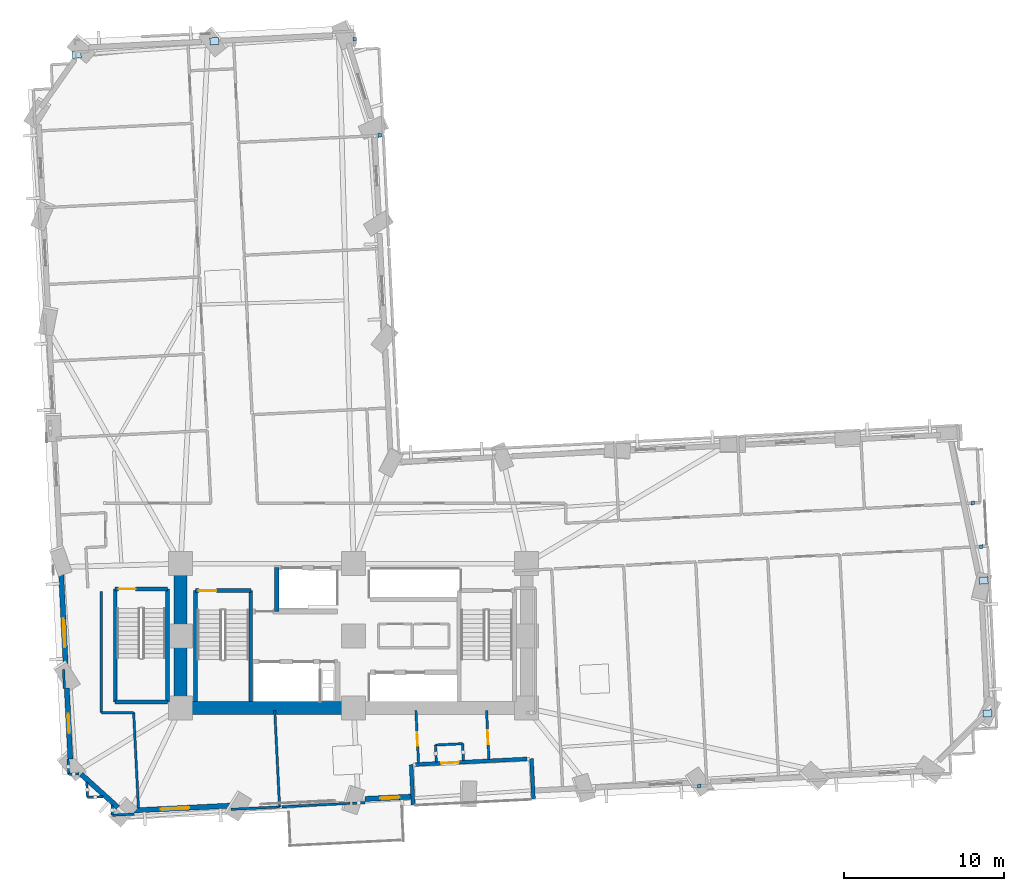
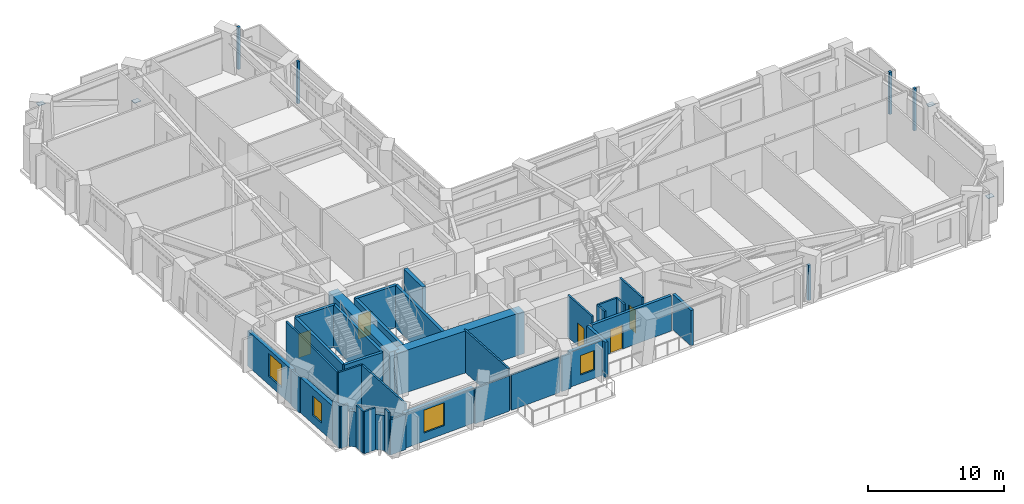
# One storey, part 6 of 15: 37 walls, 9 plates, 5 doors, 4 windows, 9 openings.
"""IFC4 building model written with IfcOpenShell, lengths in metres."""

from ifc_helpers import new_model, si_unit, direction, frame, frame_2d, origin, origin_2d, place, context, subcontext, project, spatial, rectangle, extrude, material, layer, layer_set, type_object, element, fill, save


model = new_model("IFC4")

# Units and contexts
model_context = context("Model", 3, precision=1e-05, world=origin(), true_north=direction((0.0, 1.0)))
body_context = subcontext(model_context, "Body", "Model", "MODEL_VIEW")
ifc_project = project(units=[si_unit("LENGTHUNIT", "METRE"), si_unit("AREAUNIT", "SQUARE_METRE"), si_unit("VOLUMEUNIT", "CUBIC_METRE"), si_unit("PLANEANGLEUNIT", "RADIAN"), si_unit("MASSUNIT", "GRAM", prefix="KILO")], contexts=[model_context])

# Site, building, storey
site_placement = place(None, origin())
site = spatial("IfcSite", under=ifc_project, at=site_placement, CompositionType="ELEMENT")
building_placement = place(site_placement, origin())
building = spatial("IfcBuilding", under=site, at=building_placement, Name="Gaonmaruhae Medical Tower", CompositionType="ELEMENT")
storey_placement = place(building_placement, frame((0.0, 0.0, 35.0)))
storey = spatial("IfcBuildingStorey", under=building, at=storey_placement, Name="L07", CompositionType="ELEMENT", Elevation=35.0)

# Plates
ifc_material_1 = material(Name="Steel HSA650 (650 MPa)", Category="steel")
ifc_layer_1 = layer(ifc_material_1, 0.028076171875)
ifc_layer_set_1 = layer_set([ifc_layer_1], Name="Steel HSA650 (650 MPa)")
plate_type_1 = type_object("IfcPlateType", Name="GP-02 Tube Brace End Cap Gusset Plate", PredefinedType="USERDEFINED", material=ifc_layer_set_1)
for number, where, z_axis, x_axis, name in (
    (1, (64.350341796875, 7.45751953125, 0.23583984375), (0.0, 0.0, 1.0), (0.998763127564, 0.049721373869, 0.0), "L07 Gusset Cap Plate PLT-L07-PBR-E01A"),
    (2, (64.11669921875, 15.752685546875, 3.51611328125), (0.0, 0.0, 1.0), (0.997801468292, 0.0662739004, 0.0), "L07 Gusset Cap Plate PLT-L07-PBR-E01B"),
    (3, (16.104736328125, 49.41064453125, 0.23583984375), (0.0, 0.0, 1.0), (0.998763127564, 0.049721373869, 0.0), "L07 Gusset Cap Plate PLT-L07-PBR-N02A"),
    (4, (7.51708984375, 48.57373046875, 3.51611328125), (0.0, 0.0, 1.0), (0.997801468292, 0.0662739004, 0.0), "L07 Gusset Cap Plate PLT-L07-PBR-N02B"),
):
    element("IfcPlate", number, at=place(storey_placement, frame(where, z_axis=z_axis, x_axis=x_axis)), inside=storey, type_object=plate_type_1, Name=name, ObjectType="GUSSET_PLATE", PredefinedType="USERDEFINED", context=body_context, shape_type="SweptSolid", body=[
        extrude(rectangle(XDim=0.56005859375, YDim=0.43994140625, at=origin_2d()), origin(), (0.0, 0.0, 1.0), 0.028076171875),
    ])
ifc_material_2 = material(Name="Anodised aluminium 6063-T6", Category="aluminium")
ifc_layer_2 = layer(ifc_material_2, 0.011962890625)
ifc_layer_set_2 = layer_set([ifc_layer_2], Name="Anodised aluminium 6063-T6")
plate_type_2 = type_object("IfcPlateType", Name="PP-01 Interior Partition Corner Stiffener Plate", PredefinedType="SHEET", material=ifc_layer_set_2)
plate_placement = place(storey_placement, frame((46.365478515625, 2.927490234375, 0.0), z_axis=(0.0, 0.0, 1.0), x_axis=(-0.998790741445, -0.049163551582, 0.0)))
element("IfcPlate", 5, at=plate_placement, inside=storey, type_object=plate_type_2, Name="L07 Partition Corner Stiffener Plate PLT-L07-JGP-PW040", PredefinedType="SHEET", context=body_context, shape_type="SweptSolid", body=[
    extrude(rectangle(XDim=0.219970703125, YDim=0.219970703125, at=origin_2d()), origin(), (0.0, 0.0, 1.0), 3.1650390625),
])
for number, where, z_axis, x_axis, name in (
    (6, (63.445556640625, 20.589111328125, 0.0), (0.0, 0.0, 1.0), (-0.998755305027, -0.0498782586, 0.0), "L07 Partition Corner Stiffener Plate PLT-L07-JGP-PW098"),
    (7, (26.429443359375, 43.526611328125, 0.0), (0.0, 0.0, 1.0), (0.998757915277, 0.049825963826, 0.0), "L07 Partition Corner Stiffener Plate PLT-L07-JGP-PW107"),
    (8, (24.859619140625, 49.528076171875, 0.0), (0.0, 0.0, 1.0), (0.049180983762, -0.998789883227, 0.0), "L07 Partition Corner Stiffener Plate PLT-L07-JGP-PW112"),
    (9, (63.972900390625, 17.87158203125, 0.0), (0.0, 0.0, 1.0), (0.998746584416, 0.050052573524, 0.0), "L07 Partition Corner Stiffener Plate PLT-L07-JGP-PW117"),
):
    element("IfcPlate", number, at=place(storey_placement, frame(where, z_axis=z_axis, x_axis=x_axis)), inside=storey, type_object=plate_type_2, Name=name, PredefinedType="SHEET", context=body_context, shape_type="SweptSolid", body=[
        extrude(rectangle(XDim=0.219970703125, YDim=0.219970703125, at=origin_2d()), origin(), (0.0, 0.0, 1.0), 3.780029296875),
    ])

# Walls
ifc_material_3 = material(Name="Concrete C60/75", Category="concrete")
ifc_layer_3 = layer(ifc_material_3, 0.800048828125)
ifc_layer_set_3 = layer_set([ifc_layer_3], Name="Concrete C60/75")
wall_type_1 = type_object("IfcWallType", Name="CW-800 Lower Core Shear Wall", PredefinedType="SHEAR", material=ifc_layer_set_3)
wall_1_placement = place(storey_placement, frame((14.0, 7.800048828125, 0.0), z_axis=(0.0, 0.0, 1.0), x_axis=(1.0, 0.0, 0.0)))
element("IfcWall", 10, at=wall_1_placement, inside=storey, type_object=wall_type_1, Name="L07 Core Shear Wall CSW-S1", PredefinedType="SHEAR", context=body_context, shape_type="SweptSolid", body=[
    extrude(rectangle(XDim=10.800048828125, YDim=0.800048828125, at=frame_2d((5.39990234375, 0.0))), origin(), (0.0, 0.0, 1.0), 3.780029296875),
])
wall_2_placement = place(storey_placement, frame((14.0, 16.800048828125, 0.0), z_axis=(0.0, 0.0, 1.0), x_axis=(0.0, -1.0, 0.0)))
element("IfcWall", 11, at=wall_2_placement, inside=storey, type_object=wall_type_1, Name="L07 Core Shear Wall CSW-W1", PredefinedType="SHEAR", context=body_context, shape_type="SweptSolid", body=[
    extrude(rectangle(XDim=9.0, YDim=0.800048828125, at=frame_2d((4.5, 0.0))), origin(), (0.0, 0.0, 1.0), 3.780029296875),
])

# Wall, opening, door
ifc_material_4 = material(Name="Precast concrete C45/55", Category="concrete")
ifc_layer_4 = layer(ifc_material_4, 0.239990234375)
ifc_layer_set_4 = layer_set([ifc_layer_4], Name="Precast concrete C45/55")
wall_type_2 = type_object("IfcWallType", Name="EW-240 Ribbon & Shelter Insulated Precast Wall", PredefinedType="SOLIDWALL", material=ifc_layer_set_4)
wall_3_placement = place(storey_placement, frame((35.6171875, 4.615234375, 0.0), z_axis=(0.0, 0.0, 1.0), x_axis=(-0.998763945983, -0.04970493139, 0.0)))
wall_3 = element("IfcWall", 12, at=wall_3_placement, inside=storey, type_object=wall_type_2, Name="L07 Recessed Terrace Enclosure Wall TERB", PredefinedType="SOLIDWALL", context=body_context, shape_type="SweptSolid", body=[
    extrude(rectangle(XDim=6.9599609375, YDim=0.239990234375, at=frame_2d((3.47998046875, 0.0))), origin(), (0.0, 0.0, 1.0), 3.1650390625),
])
opening_1_placement = place(wall_3_placement, frame((4.264404296875, 0.0, 0.0)))
opening_1 = element("IfcOpeningElement", 13, at=opening_1_placement, cuts=wall_3, Name="Opening TD-01", PredefinedType="OPENING", context=body_context, shape_type="SweptSolid", body=[
    extrude(rectangle(XDim=1.10009765625, YDim=2.14990234375, at=frame_2d((0.550048828125, 1.074951171875))), frame((0.0, 0.1298828125, 0.0), z_axis=(0.0, -1.0, 0.0), x_axis=(1.0, 0.0, 0.0)), (0.0, 0.0, 1.0), 0.260009765625),
])
ifc_material_5 = material(Name="Anodised aluminium and toughened safety glass", Category="aluminium")
door_type_1 = type_object("IfcDoorType", Name="TD-01 Terrace & Sky Garden Glazed Door 1100x2150", OperationType="NOTDEFINED", PredefinedType="DOOR", material=ifc_material_5)
door_1_placement = place(opening_1_placement, origin())
door_1 = element("IfcDoor", 14, at=door_1_placement, inside=storey, type_object=door_type_1, Name="L07 Outdoor Terrace Access Door SLB-L07-TER", OperationType="SINGLE_SWING_LEFT", OverallHeight=2.14990234375, OverallWidth=1.10009765625, PredefinedType="DOOR", context=body_context, shape_type="SweptSolid", body=[
    extrude(rectangle(XDim=1.10009765625, YDim=2.14990234375, at=frame_2d((0.550048828125, 1.074951171875))), frame((0.0, 0.02490234375, 0.0), z_axis=(0.0, -1.0, 0.0), x_axis=(1.0, 0.0, 0.0)), (0.0, 0.0, 1.0), 0.050048828125),
])
fill(opening_1, door_1)

# Walls
wall_4_placement = place(storey_placement, frame((28.385986328125, 4.25537109375, 0.0), z_axis=(0.0, 0.0, 1.0), x_axis=(0.049801248091, -0.998759147987, 0.0)))
element("IfcWall", 15, at=wall_4_placement, inside=storey, type_object=wall_type_2, Name="L07 Recessed Terrace Enclosure Wall TERL", PredefinedType="SOLIDWALL", context=body_context, shape_type="SweptSolid", body=[
    extrude(rectangle(XDim=2.500244140625, YDim=0.239990234375, at=frame_2d((1.25, 0.0))), origin(), (0.0, 0.0, 1.0), 3.1650390625),
])
wall_5_placement = place(storey_placement, frame((36.02099609375, 2.13232421875, 0.0), z_axis=(0.0, 0.0, 1.0), x_axis=(-0.049708688114, 0.998763759017, 0.0)))
element("IfcWall", 16, at=wall_5_placement, inside=storey, type_object=wall_type_2, Name="L07 Recessed Terrace Enclosure Wall TERR", PredefinedType="SOLIDWALL", context=body_context, shape_type="SweptSolid", body=[
    extrude(rectangle(XDim=2.5, YDim=0.239990234375, at=frame_2d((1.25, 0.0))), origin(), (0.0, 0.0, 1.0), 3.1650390625),
])

# Wall, opening, window
ifc_layer_5 = layer(ifc_material_4, 0.320068359375)
ifc_layer_set_5 = layer_set([ifc_layer_5], Name="Precast concrete C45/55")
wall_type_3 = type_object("IfcWallType", Name="EW-320 Lower Precast Masonry-Frame Facade Wall", PredefinedType="SOLIDWALL", material=ifc_layer_set_5)
wall_6_placement = place(storey_placement, frame((17.122314453125, 1.7021484375, 0.0), z_axis=(0.0, 0.0, 1.0), x_axis=(-0.998763010787, -0.049723719528, 0.0)))
wall_6 = element("IfcWall", 17, at=wall_6_placement, inside=storey, type_object=wall_type_3, Name="L07 Precast Masonry-Frame Wall S01-S02", PredefinedType="SOLIDWALL", context=body_context, shape_type="SweptSolid", body=[
    extrude(rectangle(XDim=6.034423828125, YDim=0.320068359375, at=frame_2d((3.01708984375, 0.0))), origin(), (0.0, 0.0, 1.0), 3.1650390625),
])
opening_2_placement = place(wall_6_placement, frame((2.57421875, 0.0, 0.75)))
opening_2 = element("IfcOpeningElement", 18, at=opening_2_placement, cuts=wall_6, Name="Opening WN-04", PredefinedType="OPENING", context=body_context, shape_type="SweptSolid", body=[
    extrude(rectangle(XDim=1.800048828125, YDim=2.050048828125, at=frame_2d((0.89990234375, 1.02490234375))), frame((0.0, 0.169921875, 0.0), z_axis=(0.0, -1.0, 0.0), x_axis=(1.0, 0.0, 0.0)), (0.0, 0.0, 1.0), 0.340087890625),
])
ifc_material_6 = material(Name="Anodised aluminium and Low-E double glazing", Category="aluminium")
window_type_1 = type_object("IfcWindowType", Name="WN-04 Clinic & Consult Punched Window 1800x2050", PartitioningType="SINGLE_PANEL", PredefinedType="WINDOW", material=ifc_material_6)
window_1_placement = place(opening_2_placement, origin())
window_1 = element("IfcWindow", 19, at=window_1_placement, inside=storey, type_object=window_type_1, Name="L07 Modular Facade Window S01", OverallHeight=2.050048828125, OverallWidth=1.800048828125, PartitioningType="SINGLE_PANEL", PredefinedType="WINDOW", context=body_context, shape_type="SweptSolid", body=[
    extrude(rectangle(XDim=1.800048828125, YDim=2.050048828125, at=frame_2d((0.89990234375, 1.02490234375))), frame((0.0, 0.030029296875, 0.0), z_axis=(0.0, -1.0, 0.0), x_axis=(1.0, 0.0, 0.0)), (0.0, 0.0, 1.0), 0.06005859375),
])
fill(opening_2, window_1)

wall_7_placement = place(storey_placement, frame((28.465087890625, 2.266845703125, 0.0), z_axis=(0.0, 0.0, 1.0), x_axis=(-0.998761361594, -0.049756834576, 0.0)))
wall_7 = element("IfcWall", 20, at=wall_7_placement, inside=storey, type_object=wall_type_3, Name="L07 Precast Masonry-Frame Wall S03-S04", PredefinedType="SOLIDWALL", context=body_context, shape_type="SweptSolid", body=[
    extrude(rectangle(XDim=2.963623046875, YDim=0.320068359375, at=frame_2d((1.48193359375, 0.0))), origin(), (0.0, 0.0, 1.0), 3.14501953125),
])
opening_3_placement = place(wall_7_placement, frame((0.805419921875, 0.0, 0.75)))
opening_3 = element("IfcOpeningElement", 21, at=opening_3_placement, cuts=wall_7, Name="Opening WN-05", PredefinedType="OPENING", context=body_context, shape_type="SweptSolid", body=[
    extrude(rectangle(XDim=1.199951171875, YDim=1.75, at=frame_2d((0.60009765625, 0.875))), frame((0.0, 0.169921875, 0.0), z_axis=(0.0, -1.0, 0.0), x_axis=(1.0, 0.0, 0.0)), (0.0, 0.0, 1.0), 0.340087890625),
])
window_type_2 = type_object("IfcWindowType", Name="WN-05 Support & Staff Punched Window 1200x1750", PartitioningType="SINGLE_PANEL", PredefinedType="WINDOW", material=ifc_material_6)
window_2_placement = place(opening_3_placement, origin())
window_2 = element("IfcWindow", 22, at=window_2_placement, inside=storey, type_object=window_type_2, Name="L07 Modular Facade Window S03", OverallHeight=1.75, OverallWidth=1.199951171875, PartitioningType="SINGLE_PANEL", PredefinedType="WINDOW", context=body_context, shape_type="SweptSolid", body=[
    extrude(rectangle(XDim=1.199951171875, YDim=1.75, at=frame_2d((0.60009765625, 0.875))), frame((0.0, 0.030029296875, 0.0), z_axis=(0.0, -1.0, 0.0), x_axis=(1.0, 0.0, 0.0)), (0.0, 0.0, 1.0), 0.06005859375),
])
fill(opening_3, window_2)

wall_8_placement = place(storey_placement, frame((6.841796875, 10.221923828125, 0.0), z_axis=(0.0, 0.0, 1.0), x_axis=(-0.049706150809, 0.998763885296, 0.0)))
wall_8 = element("IfcWall", 23, at=wall_8_placement, inside=storey, type_object=wall_type_3, Name="L07 Precast Masonry-Frame Wall W05-W06", PredefinedType="SOLIDWALL", context=body_context, shape_type="SweptSolid", body=[
    extrude(rectangle(XDim=5.9970703125, YDim=0.320068359375, at=frame_2d((2.99853515625, 0.0))), origin(), (0.0, 0.0, 1.0), 3.1650390625),
])
opening_4_placement = place(wall_8_placement, frame((1.3623046875, 0.0, 0.75)))
opening_4 = element("IfcOpeningElement", 24, at=opening_4_placement, cuts=wall_8, Name="Opening WN-04", PredefinedType="OPENING", context=body_context, shape_type="SweptSolid", body=[
    extrude(rectangle(XDim=1.800048828125, YDim=2.050048828125, at=frame_2d((0.89990234375, 1.02490234375))), frame((0.0, 0.169921875, 0.0), z_axis=(0.0, -1.0, 0.0), x_axis=(1.0, 0.0, 0.0)), (0.0, 0.0, 1.0), 0.340087890625),
])
window_3_placement = place(opening_4_placement, origin())
window_3 = element("IfcWindow", 25, at=window_3_placement, inside=storey, type_object=window_type_1, Name="L07 Modular Facade Window W05", OverallHeight=2.050048828125, OverallWidth=1.800048828125, PartitioningType="SINGLE_PANEL", PredefinedType="WINDOW", context=body_context, shape_type="SweptSolid", body=[
    extrude(rectangle(XDim=1.800048828125, YDim=2.050048828125, at=frame_2d((0.89990234375, 1.02490234375))), frame((0.0, 0.030029296875, 0.0), z_axis=(0.0, -1.0, 0.0), x_axis=(1.0, 0.0, 0.0)), (0.0, 0.0, 1.0), 0.06005859375),
])
fill(opening_4, window_3)

wall_9_placement = place(storey_placement, frame((7.12060546875, 4.618408203125, 0.0), z_axis=(0.0, 0.0, 1.0), x_axis=(-0.04969774224, 0.998764303735, 0.0)))
wall_9 = element("IfcWall", 26, at=wall_9_placement, inside=storey, type_object=wall_type_3, Name="L07 Precast Masonry-Frame Wall W06-W07", PredefinedType="SOLIDWALL", context=body_context, shape_type="SweptSolid", body=[
    extrude(rectangle(XDim=4.416259765625, YDim=0.320068359375, at=frame_2d((2.2080078125, 0.0))), origin(), (0.0, 0.0, 1.0), 3.1650390625),
])
opening_5_placement = place(wall_9_placement, frame((1.610595703125, 0.0, 0.75)))
opening_5 = element("IfcOpeningElement", 27, at=opening_5_placement, cuts=wall_9, Name="Opening WN-05", PredefinedType="OPENING", context=body_context, shape_type="SweptSolid", body=[
    extrude(rectangle(XDim=1.199951171875, YDim=1.75, at=frame_2d((0.60009765625, 0.875))), frame((0.0, 0.169921875, 0.0), z_axis=(0.0, -1.0, 0.0), x_axis=(1.0, 0.0, 0.0)), (0.0, 0.0, 1.0), 0.340087890625),
])
window_4_placement = place(opening_5_placement, origin())
window_4 = element("IfcWindow", 28, at=window_4_placement, inside=storey, type_object=window_type_2, Name="L07 Modular Facade Window W06", OverallHeight=1.75, OverallWidth=1.199951171875, PartitioningType="SINGLE_PANEL", PredefinedType="WINDOW", context=body_context, shape_type="SweptSolid", body=[
    extrude(rectangle(XDim=1.199951171875, YDim=1.75, at=frame_2d((0.60009765625, 0.875))), frame((0.0, 0.030029296875, 0.0), z_axis=(0.0, -1.0, 0.0), x_axis=(1.0, 0.0, 0.0)), (0.0, 0.0, 1.0), 0.06005859375),
])
fill(opening_5, window_4)

# Walls
wall_10_placement = place(storey_placement, frame((10.088623046875, 1.588623046875, 0.0), z_axis=(0.0, 0.0, 1.0), x_axis=(-0.741367790542, 0.67109894885, 0.0)))
element("IfcWall", 29, at=wall_10_placement, inside=storey, type_object=wall_type_3, Name="L07 Precast Masonry-Frame Wall W07-S01", PredefinedType="SOLIDWALL", context=body_context, shape_type="SweptSolid", body=[
    extrude(rectangle(XDim=3.09912109375, YDim=0.320068359375, at=frame_2d((1.549560546875, 0.0))), origin(), (0.0, 0.0, 1.0), 3.1650390625),
])
ifc_material_7 = material(Name="Gypsum board partition", Category="gypsum")
ifc_layer_6 = layer(ifc_material_7, 0.14990234375)
ifc_layer_set_6 = layer_set([ifc_layer_6], Name="Gypsum board partition")
wall_type_4 = type_object("IfcWallType", Name="PW-150 Rated Clinical Corridor Partition", PredefinedType="PARTITIONING", material=ifc_layer_set_6)
wall_11_placement = place(storey_placement, frame((9.050048828125, 15.06689453125, 0.0), z_axis=(0.0, 0.0, 1.0), x_axis=(0.0, -1.0, 0.0)))
element("IfcWall", 30, at=wall_11_placement, inside=storey, type_object=wall_type_4, Name="L07 Interior Partition L07-SUP01-9", PredefinedType="PARTITIONING", context=body_context, shape_type="SweptSolid", body=[
    extrude(rectangle(XDim=7.56689453125, YDim=0.14990234375, at=frame_2d((3.783447265625, 0.0))), origin(), (0.0, 0.0, 1.0), 3.780029296875),
])
wall_12_placement = place(storey_placement, frame((9.050048828125, 7.5, 0.0), z_axis=(0.0, 0.0, 1.0), x_axis=(1.0, 0.0, 0.0)))
element("IfcWall", 31, at=wall_12_placement, inside=storey, type_object=wall_type_4, Name="L07 Interior Partition L07-SUP01-10", PredefinedType="PARTITIONING", context=body_context, shape_type="SweptSolid", body=[
    extrude(rectangle(XDim=2.02197265625, YDim=0.14990234375, at=frame_2d((1.010986328125, 0.0))), origin(), (0.0, 0.0, 1.0), 3.780029296875),
])
wall_13_placement = place(storey_placement, frame((11.072021484375, 7.5, 0.0), z_axis=(0.0, 0.0, 1.0), x_axis=(0.049841534872, -0.998757138348, 0.0)))
element("IfcWall", 32, at=wall_13_placement, inside=storey, type_object=wall_type_4, Name="L07 Interior Partition L07-SUP01-11", PredefinedType="PARTITIONING", context=body_context, shape_type="SweptSolid", body=[
    extrude(rectangle(XDim=5.956298828125, YDim=0.14990234375, at=frame_2d((2.97802734375, 0.0))), origin(), (0.0, 0.0, 1.0), 3.780029296875),
])
wall_14_placement = place(storey_placement, frame((11.10693359375, 1.172119140625, 0.0), z_axis=(0.0, 0.0, 1.0), x_axis=(-0.998779948777, -0.049382323969, 0.0)))
element("IfcWall", 33, at=wall_14_placement, inside=storey, type_object=wall_type_4, Name="L07 Interior Partition L07-SUP01-12", PredefinedType="PARTITIONING", context=body_context, shape_type="SweptSolid", body=[
    extrude(rectangle(XDim=1.359619140625, YDim=0.14990234375, at=frame_2d((0.6796875, 0.0))), origin(), (0.0, 0.0, 1.0), 3.1650390625),
])
wall_15_placement = place(storey_placement, frame((9.7490234375, 1.10498046875, 0.0), z_axis=(0.0, 0.0, 1.0), x_axis=(-0.050071060531, 0.998745657761, 0.0)))
element("IfcWall", 34, at=wall_15_placement, inside=storey, type_object=wall_type_4, Name="L07 Interior Partition L07-SUP01-13", PredefinedType="PARTITIONING", context=body_context, shape_type="SweptSolid", body=[
    extrude(rectangle(XDim=0.638671875, YDim=0.14990234375, at=frame_2d((0.3193359375, 0.0))), origin(), (0.0, 0.0, 1.0), 3.780029296875),
])
for number, where, z_axis, x_axis, name in (
    (35, (9.14990234375, 2.256103515625, 0.0), (0.0, 0.0, 1.0), (-0.998792632335, -0.049125121825, 0.0), "L07 Interior Partition L07-SUP01-14"),
    (36, (8.19189453125, 2.208984375, 0.0), (0.0, 0.0, 1.0), (-0.049886838887, 0.998754876487, 0.0), "L07 Interior Partition L07-SUP01-15"),
):
    element("IfcWall", number, at=place(storey_placement, frame(where, z_axis=z_axis, x_axis=x_axis)), inside=storey, type_object=wall_type_4, Name=name, PredefinedType="PARTITIONING", context=body_context, shape_type="SweptSolid", body=[
        extrude(rectangle(XDim=0.959228515625, YDim=0.14990234375, at=frame_2d((0.4794921875, 0.0))), origin(), (0.0, 0.0, 1.0), 3.780029296875),
    ])
wall_16_placement = place(storey_placement, frame((7.656982421875, 3.68408203125, 0.0), z_axis=(0.0, 0.0, 1.0), x_axis=(-0.998745657761, -0.050071060531, 0.0)))
element("IfcWall", 37, at=wall_16_placement, inside=storey, type_object=wall_type_4, Name="L07 Interior Partition L07-SUP01-16", PredefinedType="PARTITIONING", context=body_context, shape_type="SweptSolid", body=[
    extrude(rectangle(XDim=0.638671875, YDim=0.14990234375, at=frame_2d((0.3193359375, 0.0))), origin(), (0.0, 0.0, 1.0), 3.780029296875),
])
wall_17_placement = place(storey_placement, frame((7.01904296875, 3.652099609375, 0.0), z_axis=(0.0, 0.0, 1.0), x_axis=(-0.050089793668, 0.998744718419, 0.0)))
element("IfcWall", 38, at=wall_17_placement, inside=storey, type_object=wall_type_4, Name="L07 Interior Partition L07-SUP01-17", PredefinedType="PARTITIONING", context=body_context, shape_type="SweptSolid", body=[
    extrude(rectangle(XDim=0.960205078125, YDim=0.14990234375, at=frame_2d((0.47998046875, 0.0))), origin(), (0.0, 0.0, 1.0), 3.780029296875),
])
wall_18_placement = place(storey_placement, frame((6.751953125, 9.02197265625, 0.0), z_axis=(0.0, 0.0, 1.0), x_axis=(-0.050315055352, 0.998733395459, 0.0)))
element("IfcWall", 39, at=wall_18_placement, inside=storey, type_object=wall_type_4, Name="L07 Interior Partition L07-SUP01-18", PredefinedType="PARTITIONING", context=body_context, shape_type="SweptSolid", body=[
    extrude(rectangle(XDim=1.193603515625, YDim=0.14990234375, at=frame_2d((0.5966796875, 0.0))), origin(), (0.0, 0.0, 1.0), 3.1650390625),
])
wall_19_placement = place(storey_placement, frame((20.176025390625, 1.6240234375, 0.0), z_axis=(0.0, 0.0, 1.0), x_axis=(-0.998752338878, -0.049937616944, 0.0)))
element("IfcWall", 40, at=wall_19_placement, inside=storey, type_object=wall_type_4, Name="L07 Interior Partition L07-SUP03-19", PredefinedType="PARTITIONING", context=body_context, shape_type="SweptSolid", body=[
    extrude(rectangle(XDim=3.0458984375, YDim=0.14990234375, at=frame_2d((1.52294921875, 0.0))), origin(), (0.0, 0.0, 1.0), 3.1650390625),
])
wall_20_placement = place(storey_placement, frame((19.8759765625, 7.639892578125, 0.0), z_axis=(0.0, 0.0, 1.0), x_axis=(0.049814301078, -0.998758497039, 0.0)))
element("IfcWall", 41, at=wall_20_placement, inside=storey, type_object=wall_type_4, Name="L07 Interior Partition L07-SUP03-21", PredefinedType="PARTITIONING", context=body_context, shape_type="SweptSolid", body=[
    extrude(rectangle(XDim=6.0234375, YDim=0.14990234375, at=frame_2d((3.01171875, 0.0))), origin(), (0.0, 0.0, 1.0), 3.780029296875),
])
wall_21_placement = place(storey_placement, frame((24.570068359375, 1.843017578125, 0.0), z_axis=(0.0, 0.0, 1.0), x_axis=(-0.998761370092, -0.049756664, 0.0)))
element("IfcWall", 42, at=wall_21_placement, inside=storey, type_object=wall_type_4, Name="L07 Interior Partition L07-SUP04-22", PredefinedType="PARTITIONING", context=body_context, shape_type="SweptSolid", body=[
    extrude(rectangle(XDim=4.239501953125, YDim=0.14990234375, at=frame_2d((2.11962890625, 0.0))), origin(), (0.0, 0.0, 1.0), 3.1650390625),
])
wall_22_placement = place(storey_placement, frame((25.51708984375, 1.889892578125, 0.0), z_axis=(0.0, 0.0, 1.0), x_axis=(-0.998786100196, -0.049257751219, 0.0)))
element("IfcWall", 43, at=wall_22_placement, inside=storey, type_object=wall_type_4, Name="L07 Interior Partition L07-SUP05-24", PredefinedType="PARTITIONING", context=body_context, shape_type="SweptSolid", body=[
    extrude(rectangle(XDim=0.7880859375, YDim=0.14990234375, at=frame_2d((0.39404296875, 0.0))), origin(), (0.0, 0.0, 1.0), 3.14501953125),
])

# Wall, opening, door
wall_23_placement = place(storey_placement, frame((28.68701171875, 7.639892578125, 0.0), z_axis=(0.0, 0.0, 1.0), x_axis=(0.049576399936, -0.998770334246, 0.0)))
wall_23 = element("IfcWall", 44, at=wall_23_placement, inside=storey, type_object=wall_type_4, Name="L07 Interior Partition L07-SUP05-25", PredefinedType="PARTITIONING", context=body_context, shape_type="SweptSolid", body=[
    extrude(rectangle(XDim=3.269775390625, YDim=0.14990234375, at=frame_2d((1.634765625, 0.0))), origin(), (0.0, 0.0, 1.0), 3.780029296875),
])
opening_6_placement = place(wall_23_placement, frame((1.355224609375, 0.0, 0.0)))
opening_6 = element("IfcOpeningElement", 45, at=opening_6_placement, cuts=wall_23, Name="Opening AD-01", PredefinedType="OPENING", context=body_context, shape_type="SweptSolid", body=[
    extrude(rectangle(XDim=0.860107421875, YDim=2.06005859375, at=frame_2d((0.43017578125, 1.030029296875))), frame((0.0, 0.0849609375, 0.0), z_axis=(0.0, -1.0, 0.0), x_axis=(1.0, 0.0, 0.0)), (0.0, 0.0, 1.0), 0.169921875),
])
ifc_material_8 = material(Name="Powder-coated steel access door", Category="steel")
door_type_2 = type_object("IfcDoorType", Name="AD-01 Riser & Closet Access Fire Door 860x2060", OperationType="NOTDEFINED", PredefinedType="DOOR", material=ifc_material_8)
door_2_placement = place(opening_6_placement, origin())
door_2 = element("IfcDoor", 46, at=door_2_placement, inside=storey, type_object=door_type_2, Name="L07 Clinical Biomedical Charting Office Sliding Door", OperationType="SLIDING_TO_LEFT", OverallHeight=2.06005859375, OverallWidth=0.860107421875, PredefinedType="DOOR", context=body_context, shape_type="SweptSolid", body=[
    extrude(rectangle(XDim=0.860107421875, YDim=2.06005859375, at=frame_2d((0.43017578125, 1.030029296875))), frame((0.0, 0.02490234375, 0.0), z_axis=(0.0, -1.0, 0.0), x_axis=(1.0, 0.0, 0.0)), (0.0, 0.0, 1.0), 0.050048828125),
])
fill(opening_6, door_2)

wall_24_placement = place(storey_placement, frame((33.093017578125, 7.639892578125, 0.0), z_axis=(0.0, 0.0, 1.0), x_axis=(0.049442819508, -0.998776955881, 0.0)))
wall_24 = element("IfcWall", 47, at=wall_24_placement, inside=storey, type_object=wall_type_4, Name="L07 Interior Partition L07-SUP06-26", PredefinedType="PARTITIONING", context=body_context, shape_type="SweptSolid", body=[
    extrude(rectangle(XDim=3.051513671875, YDim=0.14990234375, at=frame_2d((1.52587890625, 0.0))), origin(), (0.0, 0.0, 1.0), 3.780029296875),
])
opening_7_placement = place(wall_24_placement, frame((1.24609375, 0.0, 0.0)))
opening_7 = element("IfcOpeningElement", 48, at=opening_7_placement, cuts=wall_24, Name="Opening AD-01", PredefinedType="OPENING", context=body_context, shape_type="SweptSolid", body=[
    extrude(rectangle(XDim=0.860107421875, YDim=2.06005859375, at=frame_2d((0.43017578125, 1.030029296875))), frame((0.0, 0.0849609375, 0.0), z_axis=(0.0, -1.0, 0.0), x_axis=(1.0, 0.0, 0.0)), (0.0, 0.0, 1.0), 0.169921875),
])
door_3_placement = place(opening_7_placement, origin())
door_3 = element("IfcDoor", 49, at=door_3_placement, inside=storey, type_object=door_type_2, Name="L07 Clinical Biomedical Charting Office Sliding Door", OperationType="SLIDING_TO_LEFT", OverallHeight=2.06005859375, OverallWidth=0.860107421875, PredefinedType="DOOR", context=body_context, shape_type="SweptSolid", body=[
    extrude(rectangle(XDim=0.860107421875, YDim=2.06005859375, at=frame_2d((0.43017578125, 1.030029296875))), frame((0.0, 0.02490234375, 0.0), z_axis=(0.0, -1.0, 0.0), x_axis=(1.0, 0.0, 0.0)), (0.0, 0.0, 1.0), 0.050048828125),
])
fill(opening_7, door_3)

# Walls
wall_25_placement = place(storey_placement, frame((31.653076171875, 4.512939453125, 0.0), z_axis=(0.0, 0.0, 1.0), x_axis=(-0.050203004496, 0.998739034152, 0.0)))
element("IfcWall", 50, at=wall_25_placement, inside=storey, type_object=wall_type_4, Name="L07 Interior Partition L07-SUP06-27", PredefinedType="PARTITIONING", context=body_context, shape_type="SweptSolid", body=[
    extrude(rectangle(XDim=1.05517578125, YDim=0.14990234375, at=frame_2d((0.527587890625, 0.0))), origin(), (0.0, 0.0, 1.0), 3.780029296875),
])
wall_26_placement = place(storey_placement, frame((31.60009765625, 5.56689453125, 0.0), z_axis=(0.0, 0.0, 1.0), x_axis=(-0.998749111962, -0.050002113503, 0.0)))
element("IfcWall", 51, at=wall_26_placement, inside=storey, type_object=wall_type_4, Name="L07 Interior Partition L07-SUP06-28", PredefinedType="PARTITIONING", context=body_context, shape_type="SweptSolid", body=[
    extrude(rectangle(XDim=1.69921875, YDim=0.14990234375, at=frame_2d((0.849609375, 0.0))), origin(), (0.0, 0.0, 1.0), 3.780029296875),
])
wall_27_placement = place(storey_placement, frame((29.903076171875, 5.48193359375, 0.0), z_axis=(0.0, 0.0, 1.0), x_axis=(0.049325464305, -0.998782758447, 0.0)))
element("IfcWall", 52, at=wall_27_placement, inside=storey, type_object=wall_type_4, Name="L07 Interior Partition L07-SUP06-29", PredefinedType="PARTITIONING", context=body_context, shape_type="SweptSolid", body=[
    extrude(rectangle(XDim=1.05419921875, YDim=0.14990234375, at=frame_2d((0.527099609375, 0.0))), origin(), (0.0, 0.0, 1.0), 3.780029296875),
])

# Wall, opening, door
ifc_material_9 = material(Name="Concrete C50/60", Category="concrete")
ifc_layer_7 = layer(ifc_material_9, 0.239990234375)
ifc_layer_set_7 = layer_set([ifc_layer_7], Name="Concrete C50/60")
wall_type_5 = type_object("IfcWallType", Name="SW-240 Dogleg Stair Tight Shaft Wall", PredefinedType="SOLIDWALL", material=ifc_layer_set_7)
wall_28_placement = place(storey_placement, frame((14.919921875, 15.1201171875, 0.0), z_axis=(0.0, 0.0, 1.0), x_axis=(1.0, 0.0, 0.0)))
wall_28 = element("IfcWall", 53, at=wall_28_placement, inside=storey, type_object=wall_type_5, Name="L07 ST-01 Stair Shaft Wall SHW-ST-01-N", PredefinedType="SOLIDWALL", context=body_context, shape_type="SweptSolid", body=[
    extrude(rectangle(XDim=3.4599609375, YDim=0.239990234375, at=frame_2d((1.72998046875, 0.0))), origin(), (0.0, 0.0, 1.0), 3.780029296875),
])
opening_8_placement = place(wall_28_placement, frame((0.219970703125, 0.0, 0.0)))
opening_8 = element("IfcOpeningElement", 54, at=opening_8_placement, cuts=wall_28, Name="Opening FD-01", PredefinedType="OPENING", context=body_context, shape_type="SweptSolid", body=[
    extrude(rectangle(XDim=1.10009765625, YDim=2.14990234375, at=frame_2d((0.550048828125, 1.074951171875))), frame((0.0, 0.1298828125, 0.0), z_axis=(0.0, -1.0, 0.0), x_axis=(1.0, 0.0, 0.0)), (0.0, 0.0, 1.0), 0.260009765625),
])
ifc_material_10 = material(Name="Powder-coated steel fire door", Category="steel")
door_type_3 = type_object("IfcDoorType", Name="FD-01 Escape Stair Protected Fire Door 1100x2150", OperationType="NOTDEFINED", PredefinedType="DOOR", material=ifc_material_10)
door_4_placement = place(opening_8_placement, origin())
door_4 = element("IfcDoor", 55, at=door_4_placement, inside=storey, type_object=door_type_3, Name="L07 ST-01 Protected Escape Stair Door", OperationType="SINGLE_SWING_RIGHT", OverallHeight=2.14990234375, OverallWidth=1.10009765625, PredefinedType="DOOR", context=body_context, shape_type="SweptSolid", body=[
    extrude(rectangle(XDim=1.10009765625, YDim=2.14990234375, at=frame_2d((0.550048828125, 1.074951171875))), frame((0.0, 0.02490234375, 0.0), z_axis=(0.0, -1.0, 0.0), x_axis=(1.0, 0.0, 0.0)), (0.0, 0.0, 1.0), 0.050048828125),
])
fill(opening_8, door_4)

# Walls
for number, where, z_axis, x_axis, name in (
    (56, (18.3798828125, 15.1201171875, 0.0), (0.0, 0.0, 1.0), (0.0, -1.0, 0.0), "L07 ST-01 Stair Shaft Wall SHW-ST-01-E"),
    (57, (14.919921875, 8.199951171875, 0.0), (0.0, 0.0, 1.0), (0.0, 1.0, 0.0), "L07 ST-01 Stair Shaft Wall SHW-ST-01-W"),
):
    element("IfcWall", number, at=place(storey_placement, frame(where, z_axis=z_axis, x_axis=x_axis)), inside=storey, type_object=wall_type_5, Name=name, PredefinedType="SOLIDWALL", context=body_context, shape_type="SweptSolid", body=[
        extrude(rectangle(XDim=6.920166015625, YDim=0.239990234375, at=frame_2d((3.4599609375, 0.0))), origin(), (0.0, 0.0, 1.0), 3.780029296875),
    ])

# Wall, opening, door
wall_29_placement = place(storey_placement, frame((9.919921875, 15.219970703125, 0.0), z_axis=(0.0, 0.0, 1.0), x_axis=(1.0, 0.0, 0.0)))
wall_29 = element("IfcWall", 58, at=wall_29_placement, inside=storey, type_object=wall_type_5, Name="L07 ST-03 Stair Shaft Wall SHW-ST-03-N", PredefinedType="SOLIDWALL", context=body_context, shape_type="SweptSolid", body=[
    extrude(rectangle(XDim=3.260009765625, YDim=0.239990234375, at=frame_2d((1.6298828125, 0.0))), origin(), (0.0, 0.0, 1.0), 3.780029296875),
])
opening_9_placement = place(wall_29_placement, frame((0.219970703125, 0.0, 0.0)))
opening_9 = element("IfcOpeningElement", 59, at=opening_9_placement, cuts=wall_29, Name="Opening FD-02", PredefinedType="OPENING", context=body_context, shape_type="SweptSolid", body=[
    extrude(rectangle(XDim=1.050048828125, YDim=2.14990234375, at=frame_2d((0.52490234375, 1.074951171875))), frame((0.0, 0.1298828125, 0.0), z_axis=(0.0, -1.0, 0.0), x_axis=(1.0, 0.0, 0.0)), (0.0, 0.0, 1.0), 0.260009765625),
])
door_type_4 = type_object("IfcDoorType", Name="FD-02 Secondary Stair Fire Door 1050x2150", OperationType="NOTDEFINED", PredefinedType="DOOR", material=ifc_material_10)
door_5_placement = place(opening_9_placement, origin())
door_5 = element("IfcDoor", 60, at=door_5_placement, inside=storey, type_object=door_type_4, Name="L07 ST-03 Protected Escape Stair Door", OperationType="SINGLE_SWING_RIGHT", OverallHeight=2.14990234375, OverallWidth=1.050048828125, PredefinedType="DOOR", context=body_context, shape_type="SweptSolid", body=[
    extrude(rectangle(XDim=1.050048828125, YDim=2.14990234375, at=frame_2d((0.52490234375, 1.074951171875))), frame((0.0, 0.02490234375, 0.0), z_axis=(0.0, -1.0, 0.0), x_axis=(1.0, 0.0, 0.0)), (0.0, 0.0, 1.0), 0.050048828125),
])
fill(opening_9, door_5)

# Walls
wall_30_placement = place(storey_placement, frame((13.179931640625, 15.219970703125, 0.0), z_axis=(0.0, 0.0, 1.0), x_axis=(0.0, -1.0, 0.0)))
element("IfcWall", 61, at=wall_30_placement, inside=storey, type_object=wall_type_5, Name="L07 ST-03 Stair Shaft Wall SHW-ST-03-E", PredefinedType="SOLIDWALL", context=body_context, shape_type="SweptSolid", body=[
    extrude(rectangle(XDim=7.050048828125, YDim=0.239990234375, at=frame_2d((3.52490234375, 0.0))), origin(), (0.0, 0.0, 1.0), 3.780029296875),
])
wall_31_placement = place(storey_placement, frame((13.179931640625, 8.169921875, 0.0), z_axis=(0.0, 0.0, 1.0), x_axis=(-1.0, 0.0, 0.0)))
element("IfcWall", 62, at=wall_31_placement, inside=storey, type_object=wall_type_5, Name="L07 ST-03 Stair Shaft Wall SHW-ST-03-S", PredefinedType="SOLIDWALL", context=body_context, shape_type="SweptSolid", body=[
    extrude(rectangle(XDim=3.260009765625, YDim=0.239990234375, at=frame_2d((1.6298828125, 0.0))), origin(), (0.0, 0.0, 1.0), 3.780029296875),
])
wall_32_placement = place(storey_placement, frame((9.919921875, 8.169921875, 0.0), z_axis=(0.0, 0.0, 1.0), x_axis=(0.0, 1.0, 0.0)))
element("IfcWall", 63, at=wall_32_placement, inside=storey, type_object=wall_type_5, Name="L07 ST-03 Stair Shaft Wall SHW-ST-03-W", PredefinedType="SOLIDWALL", context=body_context, shape_type="SweptSolid", body=[
    extrude(rectangle(XDim=7.050048828125, YDim=0.239990234375, at=frame_2d((3.52490234375, 0.0))), origin(), (0.0, 0.0, 1.0), 3.780029296875),
])
ifc_layer_8 = layer(ifc_material_9, 0.300048828125)
ifc_layer_set_8 = layer_set([ifc_layer_8], Name="Concrete C50/60")
wall_type_6 = type_object("IfcWallType", Name="SW-300 Stair & Lift Hoistway Shaft Wall", PredefinedType="SOLIDWALL", material=ifc_layer_set_8)
wall_33_placement = place(storey_placement, frame((20.0, 13.820068359375, 0.0), z_axis=(0.0, 0.0, 1.0), x_axis=(0.0, 1.0, 0.0)))
element("IfcWall", 64, at=wall_33_placement, inside=storey, type_object=wall_type_6, Name="L07 Shaft Enclosure Wall SHW-BDW", PredefinedType="SOLIDWALL", context=body_context, shape_type="SweptSolid", body=[
    extrude(rectangle(XDim=2.72998046875, YDim=0.300048828125, at=frame_2d((1.364990234375, 0.0))), origin(), (0.0, 0.0, 1.0), 3.780029296875),
])

save(model, "model.ifc")
